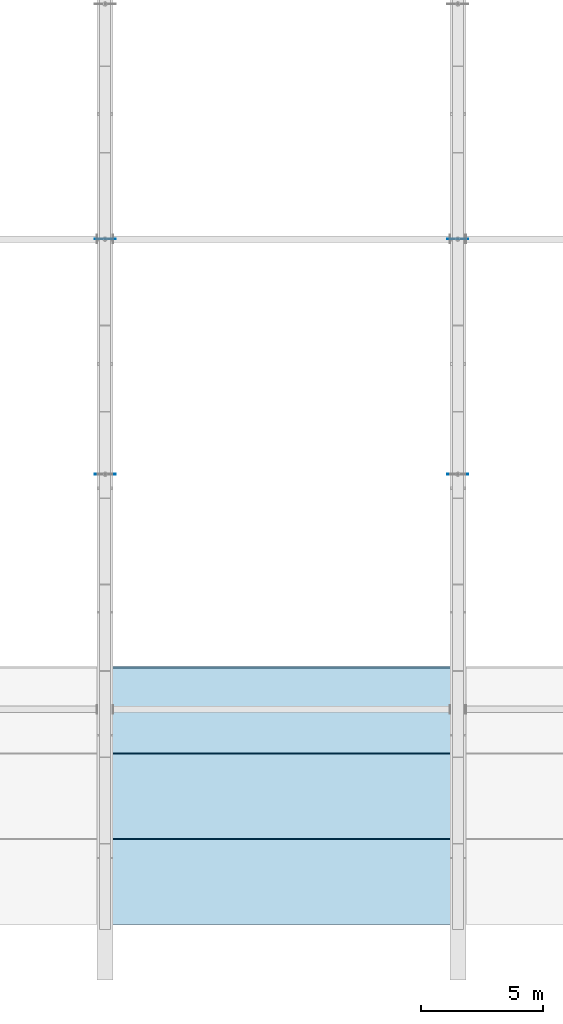
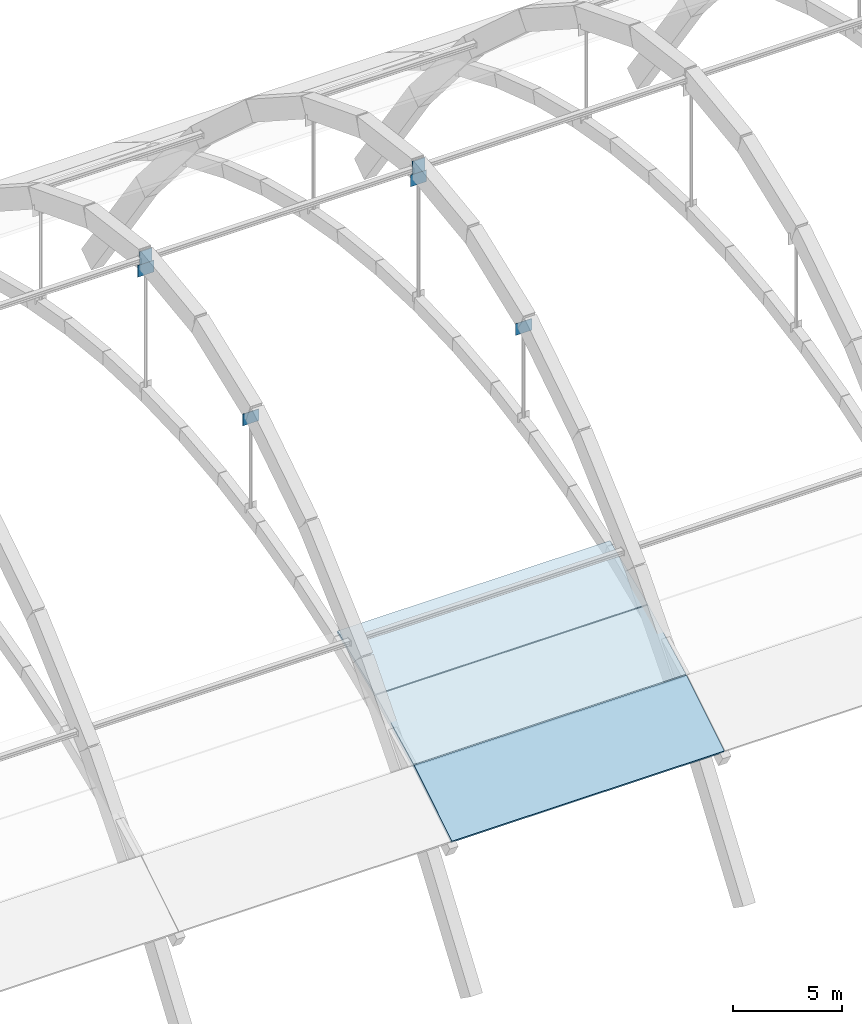
# One storey, part 39 of 64: 6 plates, 3 slabs.
"""IFC4 building model written with IfcOpenShell, lengths in metres."""

import ifcopenshell
import ifcopenshell.guid

model = None  # the IFC model being written
_history = None  # IfcOwnerHistory: only IFC2X3 demands one
_inside = {}  # id of a spatial element -> (the spatial element, [elements in it])
_under = {}  # id of a project, library or spatial element -> (it, [spatial elements below it])
_declared = {}  # id of a project -> (the project, [libraries it declares])
_typed = {}  # id of a type object -> (the type object, [elements of that type])
_made_of = {}  # id of a material, layer set ... -> (it, [elements and type objects made of it])


def new_model(schema):
    """Start an empty IFC model of exactly this schema.

    Asked for "IFC4X3", IfcOpenShell would pick the latest addendum, in which some entities
    have other attributes; the version numbers below select the first issue.
    IFC2X3 requires an IfcOwnerHistory on every rooted entity: one is made here for all.
    """
    global model, _history
    if schema == "IFC4X3":
        model = ifcopenshell.file(schema_version=(4, 3, 0, 0))
    else:
        model = ifcopenshell.file(schema=schema)
    _inside.clear()
    _under.clear()
    _declared.clear()
    _typed.clear()
    _made_of.clear()
    _history = None
    if model.schema == "IFC2X3":
        org = make("IfcOrganization", Name="unknown")
        user = make(
            "IfcPersonAndOrganization",
            ThePerson=make("IfcPerson", FamilyName="unknown"),
            TheOrganization=org,
        )
        app = make(
            "IfcApplication",
            ApplicationDeveloper=org,
            Version="unknown",
            ApplicationFullName="unknown",
            ApplicationIdentifier="unknown",
        )
        _history = make(
            "IfcOwnerHistory",
            OwningUser=user,
            OwningApplication=app,
            ChangeAction="ADDED",
            CreationDate=0,
        )
    return model


def make(cls, **values):
    """One entity of the class cls with the attributes given. An attribute that is None is left unset."""
    return model.create_entity(
        cls, **{name: value for name, value in values.items() if value is not None}
    )


def rooted(cls, **values):
    """An entity with a GlobalId (a new one), such as an element, a storey or a relation."""
    return make(cls, GlobalId=ifcopenshell.guid.new(), OwnerHistory=_history, **values)


def si_unit(unit_type, name, prefix=None):
    """IfcSIUnit, for example si_unit("LENGTHUNIT", "METRE", prefix="MILLI")."""
    return make("IfcSIUnit", UnitType=unit_type, Prefix=prefix, Name=name)


def assignment(units):
    """IfcUnitAssignment: the units of a project."""
    return None if units is None else make("IfcUnitAssignment", Units=units)


def point(xyz):
    """IfcCartesianPoint."""
    return None if xyz is None else make("IfcCartesianPoint", Coordinates=xyz)


def direction(xyz):
    """IfcDirection."""
    return None if xyz is None else make("IfcDirection", DirectionRatios=xyz)


def frame(location, z_axis=None, x_axis=None):
    """IfcAxis2Placement3D, a coordinate frame: its origin and axes. An axis left out is left unset."""
    return make(
        "IfcAxis2Placement3D",
        Location=point(location),
        Axis=direction(z_axis),
        RefDirection=direction(x_axis),
    )


def frame_2d(location, x_axis=None):
    """IfcAxis2Placement2D, a coordinate frame in the plane: its origin and x axis."""
    return make(
        "IfcAxis2Placement2D", Location=point(location), RefDirection=direction(x_axis)
    )


def origin():
    """The frame at (0, 0, 0) with its axes left unset."""
    return frame((0.0, 0.0, 0.0))


def origin_2d():
    """The frame at (0, 0) in the plane with its x axis left unset."""
    return frame_2d((0.0, 0.0))


def place(relative_to, where):
    """IfcLocalPlacement: puts the frame where relative to a parent placement (None: the world)."""
    return make(
        "IfcLocalPlacement", PlacementRelTo=relative_to, RelativePlacement=where
    )


def context(
    kind, dimensions, precision=None, world=None, true_north=None, identifier=None
):
    """IfcGeometricRepresentationContext, for example the 3D "Model" context."""
    return make(
        "IfcGeometricRepresentationContext",
        ContextIdentifier=identifier,
        ContextType=kind,
        CoordinateSpaceDimension=dimensions,
        Precision=precision,
        WorldCoordinateSystem=world,
        TrueNorth=true_north,
    )


def subcontext(parent, identifier, kind, view, scale=None):
    """IfcGeometricRepresentationSubContext, for example "Body" below "Model"."""
    return make(
        "IfcGeometricRepresentationSubContext",
        ContextIdentifier=identifier,
        ContextType=kind,
        ParentContext=parent,
        TargetScale=scale,
        TargetView=view,
    )


def project(units=None, contexts=None):
    """IfcProject with its units and contexts."""
    return rooted(
        "IfcProject",
        Name="project",
        RepresentationContexts=contexts,
        UnitsInContext=assignment(units),
    )


def spatial(cls, under=None, at=None, **own):
    """A site, building, storey or space (cls), placed at a placement, below another one or the project."""
    s = rooted(cls, ObjectPlacement=at, **own)
    if under is not None:
        _under.setdefault(under.id(), (under, []))[1].append(s)
    return s


def polyline(points):
    """IfcPolyline through the points."""
    return make("IfcPolyline", Points=[point(p) for p in points])


def profile(cls, at=None, kind="AREA", **sizes):
    """A parametric profile (cls). Its sizes go by their IFC names, for example OverallWidth=200.0."""
    return make(cls, ProfileType=kind, Position=at, **sizes)


def rectangle(**sizes):
    """IfcRectangleProfileDef."""
    return profile("IfcRectangleProfileDef", **sizes)


def outline(outer, holes=None, kind="AREA"):
    """IfcArbitraryClosedProfileDef: a profile drawn as a closed curve; with holes, ...WithVoids."""
    if holes is None:
        return make("IfcArbitraryClosedProfileDef", ProfileType=kind, OuterCurve=outer)
    return make(
        "IfcArbitraryProfileDefWithVoids",
        ProfileType=kind,
        OuterCurve=outer,
        InnerCurves=holes,
    )


def extrude(swept, where, along, depth):
    """IfcExtrudedAreaSolid: the profile swept, set in the frame where, extruded along a direction by depth."""
    return make(
        "IfcExtrudedAreaSolid",
        SweptArea=swept,
        Position=where,
        ExtrudedDirection=direction(along),
        Depth=depth,
    )


def shape(context_of_items, identifier, shape_type, items):
    """IfcShapeRepresentation: the items that make up one representation, for example the "Body"."""
    return make(
        "IfcShapeRepresentation",
        ContextOfItems=context_of_items,
        RepresentationIdentifier=identifier,
        RepresentationType=shape_type,
        Items=items,
    )


def material(Name=None, Category=None):
    """IfcMaterial."""
    return make("IfcMaterial", Name=Name, Category=Category)


def layer(
    of_material, thickness, ventilated=None, Name=None, Category=None, Priority=None
):
    """IfcMaterialLayer: one layer of a wall or slab, of a material (None: an air gap)."""
    return make(
        "IfcMaterialLayer",
        Material=of_material,
        LayerThickness=thickness,
        IsVentilated=ventilated,
        Name=Name,
        Category=Category,
        Priority=Priority,
    )


def layer_set(layers, Name=None):
    """IfcMaterialLayerSet."""
    return make("IfcMaterialLayerSet", MaterialLayers=layers, LayerSetName=Name)


def made_of(thing, what):
    """Note that an element or type object is made of a material, layer set ...; save() writes the relation."""
    if what is not None:
        _made_of.setdefault(what.id(), (what, []))[1].append(thing)
    return thing


def type_object(cls, material=None, **own):
    """A type object (cls), such as IfcWallType, which elements share."""
    return made_of(rooted(cls, **own), material)


def element(
    cls,
    number,
    at=None,
    inside=None,
    cuts=None,
    type_object=None,
    material=None,
    context=None,
    identifier="Body",
    shape_type=None,
    held_by="IfcProductDefinitionShape",
    body=None,
    shapes=None,
    **own,
):
    """One element of the class cls, such as IfcWall. Its Tag is "e" and its number.

    at: its placement. inside: the storey or other place that contains it. cuts: it is an
    opening in that element (IfcRelVoidsElement). A single representation is given by context,
    identifier, shape_type and body (its items); several are given by shapes. held_by: the class
    of the entity that holds the representations. save() writes the other relations.
    """
    e = rooted(cls, Tag="e%d" % number, ObjectPlacement=at, **own)
    if body is not None:
        shapes = [shape(context, identifier, shape_type, body)]
    if shapes is not None:
        e.Representation = make(held_by, Representations=shapes)
    if inside is not None:
        _inside.setdefault(inside.id(), (inside, []))[1].append(e)
    if cuts is not None:
        rooted(
            "IfcRelVoidsElement", RelatingBuildingElement=cuts, RelatedOpeningElement=e
        )
    if type_object is not None:
        _typed.setdefault(type_object.id(), (type_object, []))[1].append(e)
    return made_of(e, material)


def aggregate(whole, parts):
    """IfcRelAggregates: a whole, such as a stair, and the parts it consists of."""
    return rooted("IfcRelAggregates", RelatingObject=whole, RelatedObjects=parts)


def save(model, path):
    """Write the relations noted so far, then the file.

    IfcRelAggregates (storeys below a building ...), IfcRelContainedInSpatialStructure (elements
    in a storey), IfcRelDefinesByType, IfcRelAssociatesMaterial and IfcRelDeclares: one each for
    every whole, place, type object, material and project.
    """
    for whole, parts in _under.values():
        aggregate(whole, parts)
    for where, things in _inside.values():
        rooted(
            "IfcRelContainedInSpatialStructure",
            RelatedElements=things,
            RelatingStructure=where,
        )
    for kind, things in _typed.values():
        rooted("IfcRelDefinesByType", RelatedObjects=things, RelatingType=kind)
    for what, things in _made_of.values():
        rooted("IfcRelAssociatesMaterial", RelatedObjects=things, RelatingMaterial=what)
    for by, libraries in _declared.values():
        rooted("IfcRelDeclares", RelatingContext=by, RelatedDefinitions=libraries)
    model.write(path)


model = new_model("IFC4")

# Units and contexts
model_context = context("Model", 3, precision=1e-05, world=origin(), true_north=direction((0.0, 1.0)))
body_context = subcontext(model_context, "Body", "Model", "MODEL_VIEW")
ifc_project = project(units=[si_unit("LENGTHUNIT", "METRE"), si_unit("AREAUNIT", "SQUARE_METRE"), si_unit("VOLUMEUNIT", "CUBIC_METRE"), si_unit("PLANEANGLEUNIT", "RADIAN"), si_unit("MASSUNIT", "GRAM", prefix="KILO")], contexts=[model_context])

# Site, building, storey
site_placement = place(None, origin())
site = spatial("IfcSite", under=ifc_project, at=site_placement, CompositionType="ELEMENT")
building_placement = place(site_placement, origin())
building = spatial("IfcBuilding", under=site, at=building_placement, Name="Leyfeld Transit Interchange", CompositionType="ELEMENT")
storey_placement = place(building_placement, frame((0.0, 0.0, 9.60009765625)))
storey = spatial("IfcBuildingStorey", under=building, at=storey_placement, Name="L02", CompositionType="ELEMENT", Elevation=9.60009765625)

# Plates
ifc_material_1 = material(Name="Steel S355J2", Category="steel")
ifc_layer_1 = layer(ifc_material_1, 0.031982421875, Name="Steel S355J2")
ifc_layer_set_1 = layer_set([ifc_layer_1], Name="Steel S355J2")
plate_type_1 = type_object("IfcPlateType", Name="PLT-GUS-32", PredefinedType="SHEET", material=ifc_layer_set_1)
for number, where, z_axis, x_axis, name in (
    (1, (43.199951171875, 22.800048828125, 11.59765625), (0.0, 0.0, 1.0), (1.0, 0.0, 0.0), "Hanger Upper Gusset Plate AR-03 H3"),
    (2, (43.199951171875, 32.39990234375, 14.0703125), (0.0, 0.0, 1.0), (1.0, 0.0, 0.0), "Hanger Upper Gusset Plate AR-03 H4"),
    (3, (57.60009765625, 22.800048828125, 11.59765625), (0.0, 0.0, 1.0), (1.0, 0.0, 0.0), "Hanger Upper Gusset Plate AR-04 H3"),
    (4, (57.60009765625, 32.39990234375, 14.0703125), (0.0, 0.0, 1.0), (1.0, 0.0, 0.0), "Hanger Upper Gusset Plate AR-04 H4"),
):
    element("IfcPlate", number, at=place(storey_placement, frame(where, z_axis=z_axis, x_axis=x_axis)), inside=storey, type_object=plate_type_1, Name=name, PredefinedType="SHEET", context=body_context, shape_type="SweptSolid", body=[
        extrude(rectangle(XDim=0.85009765625, YDim=0.031982421875, at=origin_2d()), origin(), (0.0, 0.0, 1.0), 0.64990234375),
    ])
ifc_material_2 = material(Name="Steel S355J2 - Ochre Arch", Category="steel")
ifc_layer_2 = layer(ifc_material_2, 0.030029296875, Name="Steel S355J2 - Ochre Arch")
ifc_layer_set_2 = layer_set([ifc_layer_2], Name="Steel S355J2 - Ochre Arch")
plate_type_2 = type_object("IfcPlateType", Name="PLT-STIF-30", PredefinedType="USERDEFINED", material=ifc_layer_set_2)
for number, where, z_axis, x_axis, name in (
    (5, (43.199951171875, 32.39990234375, 14.550048828125), (0.0, 0.0, 1.0), (1.0, 0.0, 0.0), "Arch Crown Stiffener AR-03"),
    (6, (57.60009765625, 32.39990234375, 14.550048828125), (0.0, 0.0, 1.0), (1.0, 0.0, 0.0), "Arch Crown Stiffener AR-04"),
):
    element("IfcPlate", number, at=place(storey_placement, frame(where, z_axis=z_axis, x_axis=x_axis)), inside=storey, type_object=plate_type_2, Name=name, ObjectType="STIFFENER_PLATE", PredefinedType="USERDEFINED", context=body_context, shape_type="SweptSolid", body=[
        extrude(rectangle(XDim=0.64990234375, YDim=0.030029296875, at=origin_2d()), origin(), (0.0, 0.0, 1.0), 0.89990234375),
    ])

# Slabs
ifc_material_3 = material(Name="Concrete C35/45", Category="concrete")
ifc_layer_3 = layer(ifc_material_3, 0.264892578125, Name="Concrete C35/45")
ifc_layer_set_3 = layer_set([ifc_layer_3], Name="Concrete C35/45")
slab_type_1 = type_object("IfcSlabType", Name="SLB-VAR-265", PredefinedType="ROOF", material=ifc_layer_set_3)
slab_1_placement = place(storey_placement, frame((43.2099609375, 7.919921875, 1.572509765625), z_axis=(0.0, -0.455386646839, 0.890293772797), x_axis=(1.0, 0.0, 0.0)))
element("IfcSlab", 7, at=slab_1_placement, inside=storey, type_object=slab_type_1, Name="Concourse Barrel Vault Shell B4 F2", PredefinedType="ROOF", context=body_context, shape_type="SweptSolid", body=[
    extrude(outline(polyline([(0.0, 0.0), (14.380126953125, 0.0), (14.380126953125, 3.8863137575712736), (0.0, 3.8863137575712736), (0.0, 0.0)])), origin(), (0.0, 0.0, -1.0), 0.264892578125),
])
ifc_material_4 = material(Name="Concrete C40/50", Category="concrete")
ifc_layer_4 = layer(ifc_material_4, 0.159912109375, Name="Concrete C40/50")
ifc_layer_set_4 = layer_set([ifc_layer_4], Name="Concrete C40/50")
slab_type_2 = type_object("IfcSlabType", Name="SLB-VAULT-160", PredefinedType="ROOF", material=ifc_layer_set_4)
slab_2_placement = place(storey_placement, frame((43.2099609375, 11.419921875, 3.360595703125), z_axis=(0.0, -0.385336514748, 0.922776121495), x_axis=(1.0, 0.0, 0.0)))
element("IfcSlab", 8, at=slab_2_placement, inside=storey, type_object=slab_type_2, Name="Concourse Barrel Vault Shell B4 F3", PredefinedType="ROOF", context=body_context, shape_type="SweptSolid", body=[
    extrude(outline(polyline([(0.0, 0.0), (14.380126953125, 0.0), (14.380126953125, 3.749512863308036), (0.0, 3.749512863308036), (0.0, 0.0)])), origin(), (0.0, 0.0, -1.0), 0.159912109375),
])
ifc_layer_5 = layer(ifc_material_4, 0.175048828125, Name="Concrete C40/50")
ifc_layer_set_5 = layer_set([ifc_layer_5], Name="Concrete C40/50")
slab_type_3 = type_object("IfcSlabType", Name="SLB-VAULT-175", PredefinedType="ROOF", material=ifc_layer_set_5)
slab_3_placement = place(storey_placement, frame((43.2099609375, 4.419921875, -0.586669921875), z_axis=(0.0, -0.525436640298, 0.850832731524), x_axis=(1.0, 0.0, 0.0)))
element("IfcSlab", 9, at=slab_3_placement, inside=storey, type_object=slab_type_3, Name="Concourse Barrel Vault Shell B4 F1", PredefinedType="ROOF", context=body_context, shape_type="SweptSolid", body=[
    extrude(outline(polyline([(0.0, 0.0), (14.380126953125, 0.0), (14.380126953125, 4.066558336680718), (0.0, 4.066558336680718), (0.0, 0.0)])), origin(), (0.0, 0.0, -1.0), 0.175048828125),
])

save(model, "model.ifc")
